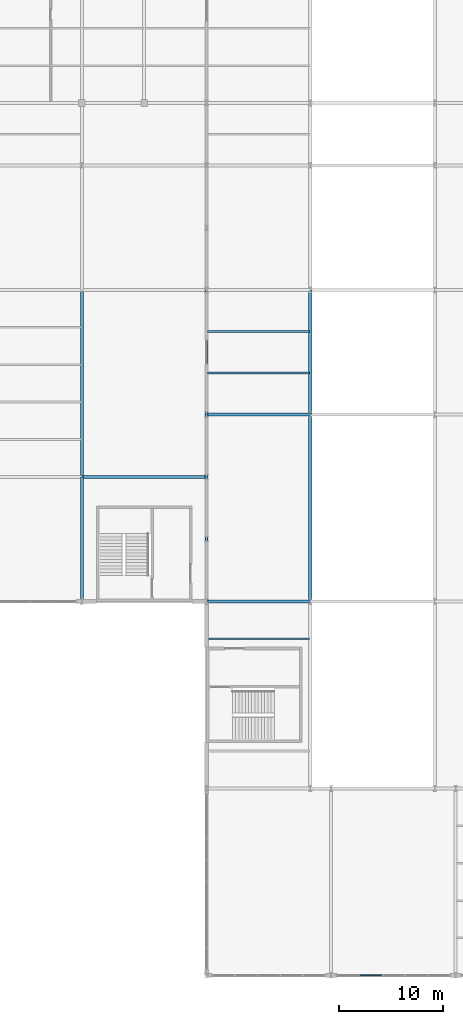
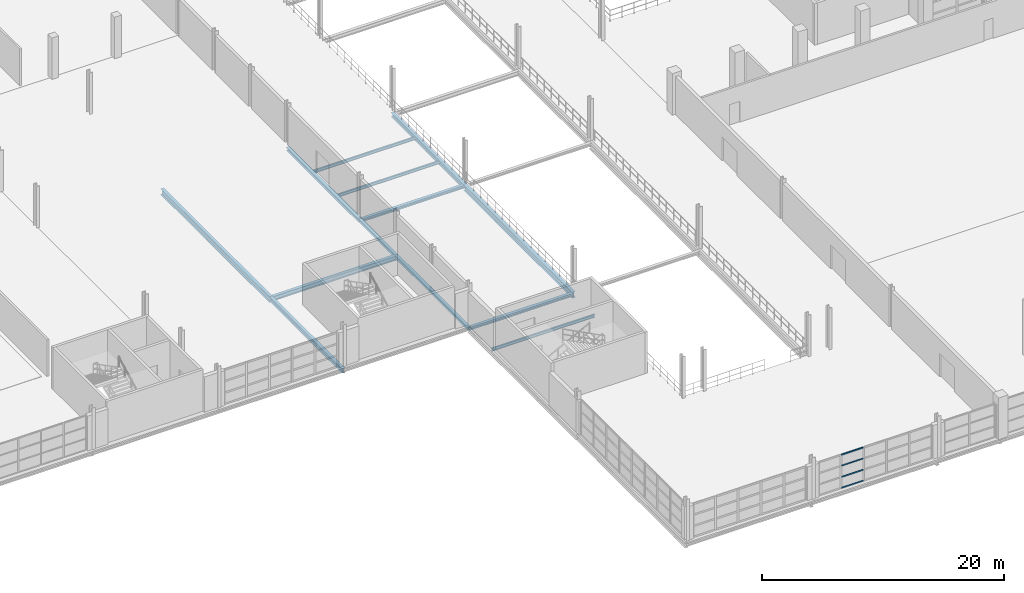
# One storey, part 38 of 158: 14 beams, 4 members, 1 element without a shape of its own.
"""IFC4 building model written with IfcOpenShell, lengths in metres."""

from ifc_helpers import new_model, si_unit, direction, frame, origin, origin_2d, place, context, subcontext, project, spatial, hollow_rectangle, i_section, extrude, material, layer, layer_set, material_profile, profile_set, type_object, element, aggregate, save


model = new_model("IFC4")

# Units and contexts
model_context = context("Model", 3, precision=1e-05, world=origin(), true_north=direction((0.0, 1.0)))
body_context = subcontext(model_context, "Body", "Model", "MODEL_VIEW")
ifc_project = project(units=[si_unit("LENGTHUNIT", "METRE"), si_unit("AREAUNIT", "SQUARE_METRE"), si_unit("VOLUMEUNIT", "CUBIC_METRE"), si_unit("PLANEANGLEUNIT", "RADIAN"), si_unit("MASSUNIT", "GRAM", prefix="KILO")], contexts=[model_context])

# Site, building, storey
site_placement = place(None, origin())
site = spatial("IfcSite", under=ifc_project, at=site_placement, CompositionType="ELEMENT")
building_placement = place(site_placement, origin())
building = spatial("IfcBuilding", under=site, at=building_placement, Name="Zilviju Railside Exhibition Hall", CompositionType="ELEMENT")
storey_placement = place(building_placement, frame((0.0, 0.0, 4.199951171875)))
storey = spatial("IfcBuildingStorey", under=building, at=storey_placement, Name="L02", CompositionType="ELEMENT", Elevation=4.199951171875)

# Beams
ifc_material_1 = material(Name="Steel S355J2", Category="steel")
ifc_material_profile_1 = material_profile(ifc_material_1, i_section(OverallWidth=0.300048828125, OverallDepth=0.2900390625, WebThickness=0.008544921875, FlangeThickness=0.013916015625, at=origin_2d()), Name="HEA 300")
ifc_profile_set_1 = profile_set([ifc_material_profile_1], Name="Steel S355J2")
beam_type_1 = type_object("IfcBeamType", Name="BM-HEA300", PredefinedType="SPANDREL", material=ifc_profile_set_1)
for number, where, z_axis, x_axis, name in (
    (1, (48.0, 36.0, -0.5048828125), (1.0, 0.0, 0.0), (0.0, 1.0, 0.0), "Primary Girder L02 Y=36.0 (48.0..58.0)"),
    (2, (48.0, 54.0, -0.5048828125), (1.0, 0.0, 0.0), (0.0, 1.0, 0.0), "Primary Girder L02 Y=54.0 (48.0..58.0)"),
):
    element("IfcBeam", number, at=place(storey_placement, frame(where, z_axis=z_axis, x_axis=x_axis)), inside=storey, type_object=beam_type_1, Name=name, PredefinedType="SPANDREL", context=body_context, shape_type="SweptSolid", body=[
        extrude(i_section(OverallWidth=0.300048828125, OverallDepth=0.2900390625, WebThickness=0.008544921875, FlangeThickness=0.013916015625, at=origin_2d()), origin(), (0.0, 0.0, 1.0), 10.0),
    ])
for number, where, z_axis, x_axis, name in (
    (3, (48.0, 36.0, -0.5048828125), (0.0, 1.0, 0.0), (-1.0, 0.0, 0.0), "Transverse Girder L02 X=48.0 (36.0..42.0)"),
    (4, (48.0, 42.0, -0.5048828125), (0.0, 1.0, 0.0), (-1.0, 0.0, 0.0), "Transverse Girder L02 X=48.0 (42.0..48.0)"),
    (5, (48.0, 48.0, -0.5048828125), (0.0, 1.0, 0.0), (-1.0, 0.0, 0.0), "Transverse Girder L02 X=48.0 (48.0..54.0)"),
):
    element("IfcBeam", number, at=place(storey_placement, frame(where, z_axis=z_axis, x_axis=x_axis)), inside=storey, type_object=beam_type_1, Name=name, PredefinedType="SPANDREL", context=body_context, shape_type="SweptSolid", body=[
        extrude(i_section(OverallWidth=0.300048828125, OverallDepth=0.2900390625, WebThickness=0.008544921875, FlangeThickness=0.013916015625, at=origin_2d()), origin(), (0.0, 0.0, 1.0), 6.0),
    ])
ifc_material_profile_2 = material_profile(ifc_material_1, i_section(OverallWidth=0.300048828125, OverallDepth=0.35009765625, WebThickness=0.010009765625, FlangeThickness=0.017578125, at=origin_2d()), Name="HEA 360")
ifc_profile_set_2 = profile_set([ifc_material_profile_2], Name="Steel S355J2")
beam_type_2 = type_object("IfcBeamType", Name="BM-HEA360", PredefinedType="BEAM", material=ifc_profile_set_2)
beam_placement = place(storey_placement, frame((48.0, 54.0, -0.534912109375), z_axis=(0.0, 1.0, 0.0), x_axis=(-1.0, 0.0, 0.0)))
element("IfcBeam", 6, at=beam_placement, inside=storey, type_object=beam_type_2, Name="Transverse Girder L02 X=48.0 (54.0..66.0)", PredefinedType="BEAM", context=body_context, shape_type="SweptSolid", body=[
    extrude(i_section(OverallWidth=0.300048828125, OverallDepth=0.35009765625, WebThickness=0.010009765625, FlangeThickness=0.017578125, at=origin_2d()), origin(), (0.0, 0.0, 1.0), 12.0),
])
ifc_material_profile_3 = material_profile(ifc_material_1, i_section(OverallWidth=0.300048828125, OverallDepth=0.449951171875, WebThickness=0.013916015625, FlangeThickness=0.02587890625, at=origin_2d()), Name="HEB 450")
ifc_profile_set_3 = profile_set([ifc_material_profile_3], Name="Steel S355J2")
beam_type_3 = type_object("IfcBeamType", Name="BM-HEB450", PredefinedType="BEAM", material=ifc_profile_set_3)
for number, where, z_axis, x_axis, name in (
    (7, (36.0, 48.0, -0.5849609375), (1.0, 0.0, 0.0), (0.0, 1.0, 0.0), "Primary Girder L02 Y=48.0 (36.0..48.0)"),
    (8, (36.0, 36.0, -0.5849609375), (0.0, 1.0, 0.0), (-1.0, 0.0, 0.0), "Transverse Girder L02 X=36.0 (36.0..48.0)"),
    (9, (58.0, 54.0, -0.574951171875), (0.0, 1.0, 0.0), (-1.0, 0.0, 0.0), "Transverse Girder L02 X=58.0 (54.0..66.0)"),
):
    element("IfcBeam", number, at=place(storey_placement, frame(where, z_axis=z_axis, x_axis=x_axis)), inside=storey, type_object=beam_type_3, Name=name, PredefinedType="BEAM", context=body_context, shape_type="SweptSolid", body=[
        extrude(i_section(OverallWidth=0.300048828125, OverallDepth=0.449951171875, WebThickness=0.013916015625, FlangeThickness=0.02587890625, at=origin_2d()), origin(), (0.0, 0.0, 1.0), 12.0),
    ])
ifc_material_profile_4 = material_profile(ifc_material_1, i_section(OverallWidth=0.300048828125, OverallDepth=0.60009765625, WebThickness=0.015380859375, FlangeThickness=0.030029296875, at=origin_2d()), Name="HEB 600")
ifc_profile_set_4 = profile_set([ifc_material_profile_4], Name="Steel S355J2")
beam_type_4 = type_object("IfcBeamType", Name="BM-HEB600", PredefinedType="BEAM", material=ifc_profile_set_4)
for number, where, z_axis, x_axis, name in (
    (10, (36.0, 48.0, -0.659912109375), (0.0, 1.0, 0.0), (-1.0, 0.0, 0.0), "Transverse Girder L02 X=36.0 (48.0..66.0)"),
    (11, (58.0, 36.0, -0.64990234375), (0.0, 1.0, 0.0), (-1.0, 0.0, 0.0), "Transverse Girder L02 X=58.0 (36.0..54.0)"),
):
    element("IfcBeam", number, at=place(storey_placement, frame(where, z_axis=z_axis, x_axis=x_axis)), inside=storey, type_object=beam_type_4, Name=name, PredefinedType="BEAM", context=body_context, shape_type="SweptSolid", body=[
        extrude(i_section(OverallWidth=0.300048828125, OverallDepth=0.60009765625, WebThickness=0.015380859375, FlangeThickness=0.030029296875, at=origin_2d()), origin(), (0.0, 0.0, 1.0), 18.0),
    ])
ifc_material_profile_5 = material_profile(ifc_material_1, i_section(OverallWidth=0.14990234375, OverallDepth=0.300048828125, WebThickness=0.007080078125, FlangeThickness=0.0107421875, at=origin_2d()), Name="IPE 300")
ifc_profile_set_5 = profile_set([ifc_material_profile_5], Name="Steel S355J2")
beam_type_5 = type_object("IfcBeamType", Name="BM-IPE300", PredefinedType="JOIST", material=ifc_profile_set_5)
for number, where, z_axis, x_axis, name in (
    (12, (48.080078125, 32.39990234375, -0.510009765625), (1.0, 0.0, 0.0), (0.0, 1.0, 0.0), "Composite Floor Joist L02 Y=32.40 (48.0..58.0)"),
    (13, (48.080078125, 58.0, -0.510009765625), (1.0, 0.0, 0.0), (0.0, 1.0, 0.0), "Composite Floor Joist L02 Y=58.00 (48.0..58.0)"),
    (14, (48.080078125, 62.0, -0.510009765625), (1.0, 0.0, 0.0), (0.0, 1.0, 0.0), "Composite Floor Joist L02 Y=62.00 (48.0..58.0)"),
):
    element("IfcBeam", number, at=place(storey_placement, frame(where, z_axis=z_axis, x_axis=x_axis)), inside=storey, type_object=beam_type_5, Name=name, PredefinedType="JOIST", context=body_context, shape_type="SweptSolid", body=[
        extrude(i_section(OverallWidth=0.14990234375, OverallDepth=0.300048828125, WebThickness=0.007080078125, FlangeThickness=0.0107421875, at=origin_2d()), origin(), (0.0, 0.0, 1.0), 9.83984375),
    ])

# Curtain wall, members
ifc_material_2 = material(Name="Thermally broken aluminium-steel triple-glazed curtain wall", Category="steel")
ifc_layer = layer(ifc_material_2, 0.179931640625)
ifc_layer_set = layer_set([ifc_layer], Name="Thermally broken aluminium-steel triple-glazed curtain wall")
curtain_wall_type = type_object("IfcCurtainWallType", Name="CW-BAY-12", PredefinedType="USERDEFINED", material=ifc_layer_set)
curtain_wall_placement = place(storey_placement, origin())
curtain_wall = element("IfcCurtainWall", 15, at=curtain_wall_placement, inside=storey, type_object=curtain_wall_type, Name="Winter Concourse South Upper Curtain Wall (60..72)", ObjectType="GLAZED CURTAIN WALL", PredefinedType="USERDEFINED")
ifc_material_3 = material(Name="Thermally broken anodized aluminium transom", Category="aluminium")
ifc_material_profile_6 = material_profile(ifc_material_3, hollow_rectangle(XDim=0.06494140625, YDim=0.1298828125, WallThickness=0.0048828125, at=origin_2d()), Name="TRANSOM 130x65x5")
ifc_profile_set_6 = profile_set([ifc_material_profile_6], Name="Thermally broken anodized aluminium transom")
member_type = type_object("IfcMemberType", Name="CWT-65x130", PredefinedType="USERDEFINED", material=ifc_profile_set_6)
member_1_placement = place(storey_placement, frame((64.87744140625, 0.0, 0.032470703125), z_axis=(-1.0, 0.0, 0.0), x_axis=(0.0, -1.0, 0.0)))
member_1 = element("IfcMember", 16, at=member_1_placement, type_object=member_type, Name="CW-12 transom 4.1", ObjectType="TRANSOM", PredefinedType="USERDEFINED", context=body_context, shape_type="SweptSolid", body=[
    extrude(hollow_rectangle(XDim=0.06494140625, YDim=0.1298828125, WallThickness=0.0048828125, at=origin_2d()), origin(), (0.0, 0.0, 1.0), 2.114990234375),
])
member_2_placement = place(storey_placement, frame((64.87744140625, 0.0, 1.133056640625), z_axis=(-1.0, 0.0, 0.0), x_axis=(0.0, -1.0, 0.0)))
member_2 = element("IfcMember", 17, at=member_2_placement, type_object=member_type, Name="CW-12 transom 4.2", ObjectType="TRANSOM", PredefinedType="USERDEFINED", context=body_context, shape_type="SweptSolid", body=[
    extrude(hollow_rectangle(XDim=0.06494140625, YDim=0.1298828125, WallThickness=0.0048828125, at=origin_2d()), origin(), (0.0, 0.0, 1.0), 2.114990234375),
])
member_3_placement = place(storey_placement, frame((64.87744140625, 0.0, 2.26708984375), z_axis=(-1.0, 0.0, 0.0), x_axis=(0.0, -1.0, 0.0)))
member_3 = element("IfcMember", 18, at=member_3_placement, type_object=member_type, Name="CW-12 transom 4.3", ObjectType="TRANSOM", PredefinedType="USERDEFINED", context=body_context, shape_type="SweptSolid", body=[
    extrude(hollow_rectangle(XDim=0.06494140625, YDim=0.1298828125, WallThickness=0.0048828125, at=origin_2d()), origin(), (0.0, 0.0, 1.0), 2.114990234375),
])
member_4_placement = place(storey_placement, frame((64.87744140625, 0.0, 3.367431640625), z_axis=(-1.0, 0.0, 0.0), x_axis=(0.0, -1.0, 0.0)))
member_4 = element("IfcMember", 19, at=member_4_placement, type_object=member_type, Name="CW-12 transom 4.4", ObjectType="TRANSOM", PredefinedType="USERDEFINED", context=body_context, shape_type="SweptSolid", body=[
    extrude(hollow_rectangle(XDim=0.06494140625, YDim=0.1298828125, WallThickness=0.0048828125, at=origin_2d()), origin(), (0.0, 0.0, 1.0), 2.114990234375),
])
aggregate(curtain_wall, [member_1, member_2, member_3, member_4])

save(model, "model.ifc")
